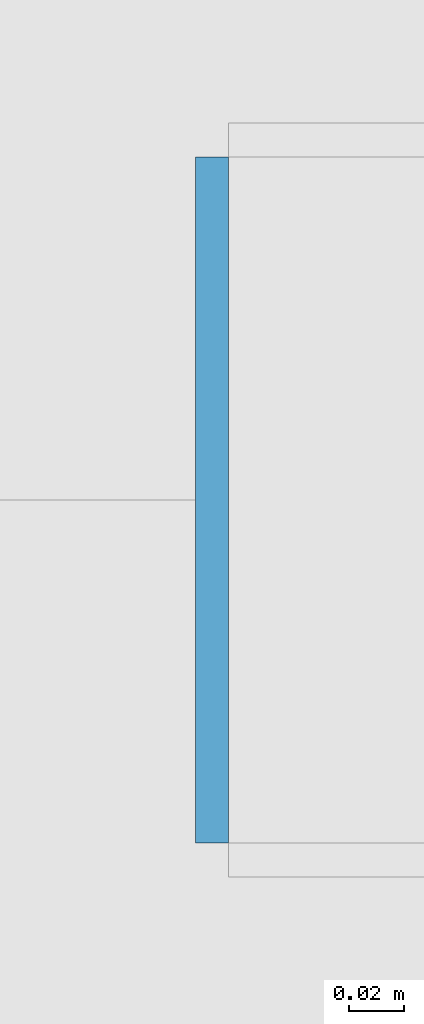
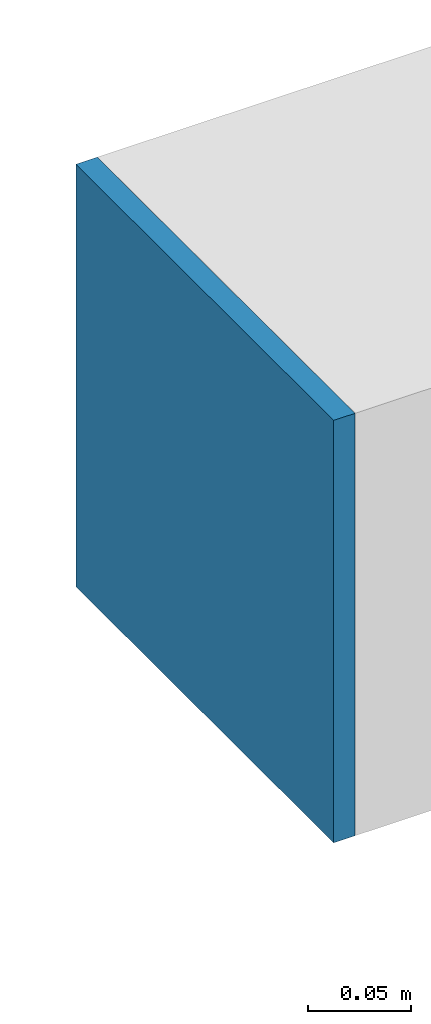
# One storey, part 46 of 59: 1 plate.
"""IFC4 building model written with IfcOpenShell, lengths in metres."""

from ifc_helpers import new_model, si_unit, direction, frame, origin, origin_2d, place, context, subcontext, project, spatial, rectangle, extrude, source, transform, mapped, material, layer, layer_set, type_object, element, save


model = new_model("IFC4")

# Units and contexts
model_context = context("Model", 3, precision=1e-05, world=origin(), true_north=direction((0.0, 1.0)))
body_context = subcontext(model_context, "Body", "Model", "MODEL_VIEW")
ifc_project = project(units=[si_unit("LENGTHUNIT", "METRE"), si_unit("AREAUNIT", "SQUARE_METRE"), si_unit("VOLUMEUNIT", "CUBIC_METRE"), si_unit("PLANEANGLEUNIT", "RADIAN"), si_unit("MASSUNIT", "GRAM", prefix="KILO")], contexts=[model_context])

# Site, building, storey
site_placement = place(None, origin())
site = spatial("IfcSite", under=ifc_project, at=site_placement, CompositionType="ELEMENT")
building_placement = place(site_placement, origin())
building = spatial("IfcBuilding", under=site, at=building_placement, Name="Taldren Reach Tower", CompositionType="ELEMENT")
storey_placement = place(building_placement, frame((0.0, 0.0, 29.39990234375)))
storey = spatial("IfcBuildingStorey", under=building, at=storey_placement, Name="L08", CompositionType="ELEMENT", Elevation=29.39990234375)

# Plate
ifc_material = material(Name="Steel Gr 350 (C350L0)", Category="steel")
ifc_layer = layer(ifc_material, 0.011962890625)
ifc_layer_set = layer_set([ifc_layer], Name="Steel Gr 350 (C350L0)")
plate_type = type_object("IfcPlateType", Name="PL-CAP-250", PredefinedType="SHEET", material=ifc_layer_set)
shared_shape = source(origin(), body_context, "Body", "SweptSolid", [
    extrude(rectangle(XDim=0.011962890625, YDim=0.25, at=origin_2d()), origin(), (0.0, 0.0, 1.0), 0.25),
])
plate_placement = place(storey_placement, frame((4.093994140625, 20.0, 0.09521484375), z_axis=(0.0, 0.0, 1.0), x_axis=(1.0, 0.0, 0.0)))
element("IfcPlate", 1, at=plate_placement, inside=storey, type_object=plate_type, Name="Tie strut end cap plate B1-W2 L08", PredefinedType="SHEET", context=body_context, shape_type="MappedRepresentation", body=[
    mapped(shared_shape, transform((0.0, 0.0, 0.0), scale=1.0)),
])

save(model, "model.ifc")
